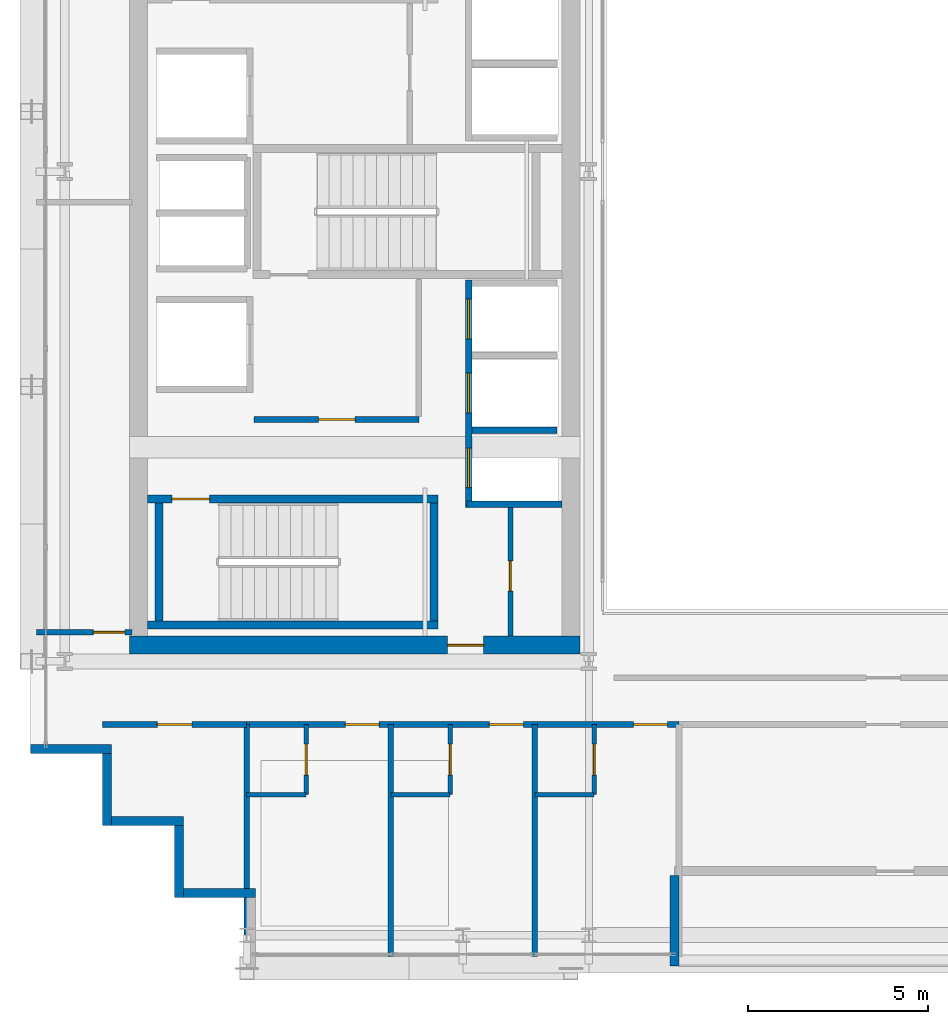
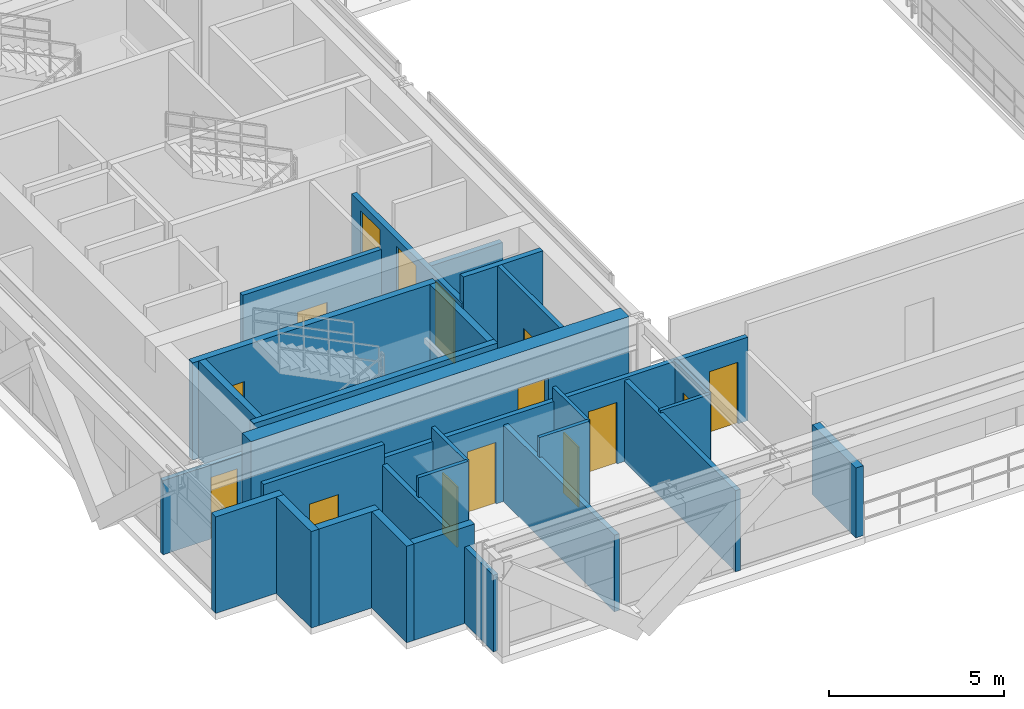
# One storey, part 29 of 38: 28 walls, 15 doors, 15 openings.
"""IFC4 building model written with IfcOpenShell, lengths in metres."""

from ifc_helpers import new_model, si_unit, direction, frame, frame_2d, origin, place, context, subcontext, project, spatial, rectangle, extrude, source, transform, mapped, material, layer, layer_set, type_object, element, fill, save


model = new_model("IFC4")

# Units and contexts
model_context = context("Model", 3, precision=1e-05, world=origin(), true_north=direction((0.0, 1.0)))
body_context = subcontext(model_context, "Body", "Model", "MODEL_VIEW")
ifc_project = project(units=[si_unit("LENGTHUNIT", "METRE"), si_unit("AREAUNIT", "SQUARE_METRE"), si_unit("VOLUMEUNIT", "CUBIC_METRE"), si_unit("PLANEANGLEUNIT", "RADIAN"), si_unit("MASSUNIT", "GRAM", prefix="KILO")], contexts=[model_context])

# Site, building, storey
site_placement = place(None, origin())
site = spatial("IfcSite", under=ifc_project, at=site_placement, CompositionType="ELEMENT")
building_placement = place(site_placement, origin())
building = spatial("IfcBuilding", under=site, at=building_placement, Name="Ocotamira Hotel", CompositionType="ELEMENT")
storey_placement = place(building_placement, frame((0.0, 0.0, 170.39990234375)))
storey = spatial("IfcBuildingStorey", under=building, at=storey_placement, Name="L42", CompositionType="ELEMENT", Elevation=170.39990234375)

# Wall, opening, door
ifc_material_1 = material(Name="Concrete C50/60", Category="concrete")
ifc_layer_1 = layer(ifc_material_1, 0.5)
ifc_layer_set_1 = layer_set([ifc_layer_1], Name="Concrete C50/60")
wall_type_1 = type_object("IfcWallType", Name="WL-CORE-500", PredefinedType="SHEAR", material=ifc_layer_set_1)
wall_1_placement = place(storey_placement, frame((10.75, 15.0, 0.0), z_axis=(0.0, 0.0, 1.0), x_axis=(1.0, 0.0, 0.0)))
wall_1 = element("IfcWall", 1, at=wall_1_placement, inside=storey, type_object=wall_type_1, Name="L42 Shear Core Wall WCORE-S", PredefinedType="SHEAR", context=body_context, shape_type="SweptSolid", body=[
    extrude(rectangle(XDim=12.5, YDim=0.5, at=frame_2d((6.25, 0.0))), origin(), (0.0, 0.0, 1.0), 3.3701171875),
])
opening_1_placement = place(wall_1_placement, frame((8.830078125, 0.0, 0.0)))
opening_1 = element("IfcOpeningElement", 2, at=opening_1_placement, cuts=wall_1, Name="Opening D-FR2", PredefinedType="OPENING", context=body_context, shape_type="SweptSolid", body=[
    extrude(rectangle(XDim=1.0, YDim=2.14990234375, at=frame_2d((0.5, 1.074951171875))), frame((0.0, 0.260009765625, 0.0), z_axis=(0.0, -1.0, 0.0), x_axis=(1.0, 0.0, 0.0)), (0.0, 0.0, 1.0), 0.52001953125),
])
ifc_material_2 = material(Name="Fire-rated acoustic timber-veneer door", Category="wood")
door_type_1 = type_object("IfcDoorType", Name="DR-FIRE-1000", OperationType="NOTDEFINED", PredefinedType="DOOR", material=ifc_material_2)
shared_shape_1 = source(origin(), body_context, "Body", "SweptSolid", [
    extrude(rectangle(XDim=1.0, YDim=2.14990234375, at=frame_2d((0.5, 1.074951171875))), frame((0.0, 0.02490234375, 0.0), z_axis=(0.0, -1.0, 0.0), x_axis=(1.0, 0.0, 0.0)), (0.0, 0.0, 1.0), 0.050048828125),
])
door_1_placement = place(opening_1_placement, origin())
door_1 = element("IfcDoor", 3, at=door_1_placement, inside=storey, type_object=door_type_1, Name="L42 Door ID-L42-WLOB-S-D [ID-L42-WLOB-S-D]", OperationType="SINGLE_SWING_LEFT", OverallHeight=2.14990234375, OverallWidth=1.0, PredefinedType="DOOR", context=body_context, shape_type="MappedRepresentation", body=[
    mapped(shared_shape_1, transform((0.0, 0.0, 0.0), scale=1.0)),
])
fill(opening_1, door_1)

# Walls
ifc_material_3 = material(Name="Precast concrete C45/55", Category="concrete")
ifc_layer_2 = layer(ifc_material_3, 0.25)
ifc_layer_set_2 = layer_set([ifc_layer_2], Name="Precast concrete C45/55")
wall_type_2 = type_object("IfcWallType", Name="WL-EXT-SER-250", PredefinedType="SOLIDWALL", material=ifc_layer_set_2)
wall_2_placement = place(storey_placement, frame((8.0, 12.125, 0.0), z_axis=(0.0, 0.0, 1.0), x_axis=(1.0, 0.0, 0.0)))
element("IfcWall", 4, at=wall_2_placement, inside=storey, type_object=wall_type_2, Name="L42 Serrated Corner Wall 19", PredefinedType="SOLIDWALL", context=body_context, shape_type="SweptSolid", body=[
    extrude(rectangle(XDim=2.25, YDim=0.25, at=frame_2d((1.125, 0.0))), origin(), (0.0, 0.0, 1.0), 3.3701171875),
])
for number, where, z_axis, x_axis, name in (
    (5, (10.125, 12.0, 0.0), (0.0, 0.0, 1.0), (0.0, -1.0, 0.0), "L42 Serrated Corner Wall 20"),
    (6, (10.25, 10.125, 0.0), (0.0, 0.0, 1.0), (1.0, 0.0, 0.0), "L42 Serrated Corner Wall 21"),
    (7, (12.125, 10.0, 0.0), (0.0, 0.0, 1.0), (0.0, -1.0, 0.0), "L42 Serrated Corner Wall 22"),
    (8, (12.25, 8.125, 0.0), (0.0, 0.0, 1.0), (1.0, 0.0, 0.0), "L42 Serrated Corner Wall 23"),
):
    element("IfcWall", number, at=place(storey_placement, frame(where, z_axis=z_axis, x_axis=x_axis)), inside=storey, type_object=wall_type_2, Name=name, PredefinedType="SOLIDWALL", context=body_context, shape_type="SweptSolid", body=[
        extrude(rectangle(XDim=2.0, YDim=0.25, at=frame_2d((1.0, 0.0))), origin(), (0.0, 0.0, 1.0), 3.3701171875),
    ])
wall_3_placement = place(storey_placement, frame((25.875, 6.10009765625, 0.0), z_axis=(0.0, 0.0, 1.0), x_axis=(0.0, 1.0, 0.0)))
element("IfcWall", 9, at=wall_3_placement, inside=storey, type_object=wall_type_2, Name="L42 Sky Terrace Return Wall 1L", PredefinedType="SOLIDWALL", context=body_context, shape_type="SweptSolid", body=[
    extrude(rectangle(XDim=2.5, YDim=0.25, at=frame_2d((1.25, 0.0))), origin(), (0.0, 0.0, 1.0), 2.443115234375),
])

# Wall, opening, door
ifc_material_4 = material(Name="Acoustic double-layer fire gypsum board partition", Category="gypsum")
ifc_layer_3 = layer(ifc_material_4, 0.159912109375)
ifc_layer_set_3 = layer_set([ifc_layer_3], Name="Acoustic double-layer fire gypsum board partition")
wall_type_3 = type_object("IfcWallType", Name="WL-FIRE-160", PredefinedType="PARTITIONING", material=ifc_layer_set_3)
wall_4_placement = place(storey_placement, frame((14.199951171875, 21.27001953125, 0.0), z_axis=(0.0, 0.0, 1.0), x_axis=(1.0, 0.0, 0.0)))
wall_4 = element("IfcWall", 10, at=wall_4_placement, inside=storey, type_object=wall_type_3, Name="L42 Interior Wall PW-L42-FSAE1-S", PredefinedType="PARTITIONING", context=body_context, shape_type="SweptSolid", body=[
    extrude(rectangle(XDim=4.580078125, YDim=0.159912109375, at=frame_2d((2.2900390625, 0.0))), origin(), (0.0, 0.0, 1.0), 3.3701171875),
])
opening_2_placement = place(wall_4_placement, frame((1.800048828125, 0.0, 0.0)))
opening_2 = element("IfcOpeningElement", 11, at=opening_2_placement, cuts=wall_4, Name="Opening D-FR2", PredefinedType="OPENING", context=body_context, shape_type="SweptSolid", body=[
    extrude(rectangle(XDim=1.0, YDim=2.14990234375, at=frame_2d((0.5, 1.074951171875))), frame((0.0, 0.08984375, 0.0), z_axis=(0.0, -1.0, 0.0), x_axis=(1.0, 0.0, 0.0)), (0.0, 0.0, 1.0), 0.179931640625),
])
door_2_placement = place(opening_2_placement, origin())
door_2 = element("IfcDoor", 12, at=door_2_placement, inside=storey, type_object=door_type_1, Name="L42 Door ID-L42-FSAE1-D [ID-L42-FSAE1-D]", OperationType="SINGLE_SWING_LEFT", OverallHeight=2.14990234375, OverallWidth=1.0, PredefinedType="DOOR", context=body_context, shape_type="MappedRepresentation", body=[
    mapped(shared_shape_1, transform((0.0, 0.0, 0.0), scale=1.0)),
])
fill(opening_2, door_2)

wall_5_placement = place(storey_placement, frame((10.0, 12.800048828125, 0.0), z_axis=(0.0, 0.0, 1.0), x_axis=(1.0, 0.0, 0.0)))
wall_5 = element("IfcWall", 13, at=wall_5_placement, inside=storey, type_object=wall_type_3, Name="L42 Interior Wall PW-L42-Z3A-CSW-CW", PredefinedType="PARTITIONING", context=body_context, shape_type="SweptSolid", body=[
    extrude(rectangle(XDim=4.0, YDim=0.159912109375, at=frame_2d((2.0, 0.0))), origin(), (0.0, 0.0, 1.0), 3.3701171875),
])
opening_3_placement = place(wall_5_placement, frame((1.52001953125, 0.0, 0.0)))
opening_3 = element("IfcOpeningElement", 14, at=opening_3_placement, cuts=wall_5, Name="Opening D-SV4", PredefinedType="OPENING", context=body_context, shape_type="SweptSolid", body=[
    extrude(rectangle(XDim=0.9599609375, YDim=2.14990234375, at=frame_2d((0.47998046875, 1.074951171875))), frame((0.0, 0.08984375, 0.0), z_axis=(0.0, -1.0, 0.0), x_axis=(1.0, 0.0, 0.0)), (0.0, 0.0, 1.0), 0.179931640625),
])
ifc_material_5 = material(Name="Fire-rated accessible walnut salon door", Category="wood")
door_type_2 = type_object("IfcDoorType", Name="DR-SERV-960", OperationType="NOTDEFINED", PredefinedType="DOOR", material=ifc_material_5)
shared_shape_2 = source(origin(), body_context, "Body", "SweptSolid", [
    extrude(rectangle(XDim=0.9599609375, YDim=2.14990234375, at=frame_2d((0.47998046875, 1.074951171875))), frame((0.0, 0.02490234375, 0.0), z_axis=(0.0, -1.0, 0.0), x_axis=(1.0, 0.0, 0.0)), (0.0, 0.0, 1.0), 0.050048828125),
])
door_3_placement = place(opening_3_placement, origin())
door_3 = element("IfcDoor", 15, at=door_3_placement, inside=storey, type_object=door_type_2, Name="L42 Door ID-L42-Z3A-CSW-CD [ID-L42-Z3A-CSW-CD]", OperationType="SINGLE_SWING_LEFT", OverallHeight=2.14990234375, OverallWidth=0.9599609375, PredefinedType="DOOR", context=body_context, shape_type="MappedRepresentation", body=[
    mapped(shared_shape_2, transform((0.0, 0.0, 0.0), scale=1.0)),
])
fill(opening_3, door_3)

# Wall, openings, doors
wall_6_placement = place(storey_placement, frame((14.0, 12.800048828125, 0.0), z_axis=(0.0, 0.0, 1.0), x_axis=(1.0, 0.0, 0.0)))
wall_6 = element("IfcWall", 16, at=wall_6_placement, inside=storey, type_object=wall_type_3, Name="L42 Interior Wall PW-L42-Z3ASW-CORRW", PredefinedType="PARTITIONING", context=body_context, shape_type="SweptSolid", body=[
    extrude(rectangle(XDim=12.0, YDim=0.159912109375, at=frame_2d((6.0, 0.0))), origin(), (0.0, 0.0, 1.0), 2.9130859375),
])
opening_4_placement = place(wall_6_placement, frame((2.739990234375, 0.0, 0.0)))
opening_4 = element("IfcOpeningElement", 17, at=opening_4_placement, cuts=wall_6, Name="Opening D-GR1", PredefinedType="OPENING", context=body_context, shape_type="SweptSolid", body=[
    extrude(rectangle(XDim=0.93994140625, YDim=2.14990234375, at=frame_2d((0.469970703125, 1.074951171875))), frame((0.0, 0.08984375, 0.0), z_axis=(0.0, -1.0, 0.0), x_axis=(1.0, 0.0, 0.0)), (0.0, 0.0, 1.0), 0.179931640625),
])
opening_5_placement = place(wall_6_placement, frame((6.739990234375, 0.0, 0.0)))
opening_5 = element("IfcOpeningElement", 18, at=opening_5_placement, cuts=wall_6, Name="Opening D-GR1", PredefinedType="OPENING", context=body_context, shape_type="SweptSolid", body=[
    extrude(rectangle(XDim=0.93994140625, YDim=2.14990234375, at=frame_2d((0.469970703125, 1.074951171875))), frame((0.0, 0.08984375, 0.0), z_axis=(0.0, -1.0, 0.0), x_axis=(1.0, 0.0, 0.0)), (0.0, 0.0, 1.0), 0.179931640625),
])
opening_6_placement = place(wall_6_placement, frame((10.739990234375, 0.0, 0.0)))
opening_6 = element("IfcOpeningElement", 19, at=opening_6_placement, cuts=wall_6, Name="Opening D-GR1", PredefinedType="OPENING", context=body_context, shape_type="SweptSolid", body=[
    extrude(rectangle(XDim=0.93994140625, YDim=2.14990234375, at=frame_2d((0.469970703125, 1.074951171875))), frame((0.0, 0.08984375, 0.0), z_axis=(0.0, -1.0, 0.0), x_axis=(1.0, 0.0, 0.0)), (0.0, 0.0, 1.0), 0.179931640625),
])
ifc_material_6 = material(Name="Solid-core walnut suite entrance fire door", Category="wood")
door_type_3 = type_object("IfcDoorType", Name="DR-GUEST-940", OperationType="NOTDEFINED", PredefinedType="DOOR", material=ifc_material_6)
shared_shape_3 = source(origin(), body_context, "Body", "SweptSolid", [
    extrude(rectangle(XDim=0.93994140625, YDim=2.14990234375, at=frame_2d((0.469970703125, 1.074951171875))), frame((0.0, 0.02490234375, 0.0), z_axis=(0.0, -1.0, 0.0), x_axis=(1.0, 0.0, 0.0)), (0.0, 0.0, 1.0), 0.050048828125),
])
door_4_placement = place(opening_4_placement, origin())
door_4 = element("IfcDoor", 20, at=door_4_placement, inside=storey, type_object=door_type_3, Name="L42 Door ID-L42-Z3ASW-RMD1 [ID-L42-Z3ASW-RMD1]", OperationType="SINGLE_SWING_LEFT", OverallHeight=2.14990234375, OverallWidth=0.93994140625, PredefinedType="DOOR", context=body_context, shape_type="MappedRepresentation", body=[
    mapped(shared_shape_3, transform((0.0, 0.0, 0.0), scale=1.0)),
])
fill(opening_4, door_4)
door_5_placement = place(opening_5_placement, origin())
door_5 = element("IfcDoor", 21, at=door_5_placement, inside=storey, type_object=door_type_3, Name="L42 Door ID-L42-Z3ASW-RMD2 [ID-L42-Z3ASW-RMD2]", OperationType="SINGLE_SWING_RIGHT", OverallHeight=2.14990234375, OverallWidth=0.93994140625, PredefinedType="DOOR", context=body_context, shape_type="MappedRepresentation", body=[
    mapped(shared_shape_3, transform((0.0, 0.0, 0.0), scale=1.0)),
])
fill(opening_5, door_5)
door_6_placement = place(opening_6_placement, origin())
door_6 = element("IfcDoor", 22, at=door_6_placement, inside=storey, type_object=door_type_3, Name="L42 Door ID-L42-Z3ASW-RMD3 [ID-L42-Z3ASW-RMD3]", OperationType="SINGLE_SWING_LEFT", OverallHeight=2.14990234375, OverallWidth=0.93994140625, PredefinedType="DOOR", context=body_context, shape_type="MappedRepresentation", body=[
    mapped(shared_shape_3, transform((0.0, 0.0, 0.0), scale=1.0)),
])
fill(opening_6, door_6)

# Wall, opening, door
ifc_material_7 = material(Name="Moisture-resistant en-suite tile and gypsum partition", Category="gypsum")
ifc_layer_4 = layer(ifc_material_7, 0.1201171875)
ifc_layer_set_4 = layer_set([ifc_layer_4], Name="Moisture-resistant en-suite tile and gypsum partition")
wall_type_4 = type_object("IfcWallType", Name="WL-PART-120", PredefinedType="PARTITIONING", material=ifc_layer_set_4)
wall_7_placement = place(storey_placement, frame((15.64990234375, 10.85009765625, 0.0), z_axis=(0.0, 0.0, 1.0), x_axis=(0.0, 1.0, 0.0)))
wall_7 = element("IfcWall", 23, at=wall_7_placement, inside=storey, type_object=wall_type_4, Name="L42 Interior Wall PW-L42-Z3ASW-BAE1", PredefinedType="PARTITIONING", context=body_context, shape_type="SweptSolid", body=[
    extrude(rectangle(XDim=1.949951171875, YDim=0.1201171875, at=frame_2d((0.97509765625, 0.0))), origin(), (0.0, 0.0, 1.0), 3.3701171875),
])
opening_7_placement = place(wall_7_placement, frame((0.544921875, 0.0, 0.0)))
opening_7 = element("IfcOpeningElement", 24, at=opening_7_placement, cuts=wall_7, Name="Opening D-BA1", PredefinedType="OPENING", context=body_context, shape_type="SweptSolid", body=[
    extrude(rectangle(XDim=0.860107421875, YDim=2.10009765625, at=frame_2d((0.43017578125, 1.050048828125))), frame((0.0, 0.070068359375, 0.0), z_axis=(0.0, -1.0, 0.0), x_axis=(1.0, 0.0, 0.0)), (0.0, 0.0, 1.0), 0.14013671875),
])
ifc_material_8 = material(Name="Moisture-sealed en-suite timber door", Category="wood")
door_type_4 = type_object("IfcDoorType", Name="DR-BATH-860", OperationType="NOTDEFINED", PredefinedType="DOOR", material=ifc_material_8)
shared_shape_4 = source(origin(), body_context, "Body", "SweptSolid", [
    extrude(rectangle(XDim=0.860107421875, YDim=2.10009765625, at=frame_2d((0.43017578125, 1.050048828125))), frame((0.0, 0.02490234375, 0.0), z_axis=(0.0, -1.0, 0.0), x_axis=(1.0, 0.0, 0.0)), (0.0, 0.0, 1.0), 0.050048828125),
])
door_7_placement = place(opening_7_placement, origin())
door_7 = element("IfcDoor", 25, at=door_7_placement, inside=storey, type_object=door_type_4, Name="L42 Door ID-L42-Z3ASW-BAD1 [ID-L42-Z3ASW-BAD1]", OperationType="SINGLE_SWING_RIGHT", OverallHeight=2.10009765625, OverallWidth=0.860107421875, PredefinedType="DOOR", context=body_context, shape_type="MappedRepresentation", body=[
    mapped(shared_shape_4, transform((0.0, 0.0, 0.0), scale=1.0)),
])
fill(opening_7, door_7)

# Wall
wall_8_placement = place(storey_placement, frame((14.0, 10.85009765625, 0.0), z_axis=(0.0, 0.0, 1.0), x_axis=(1.0, 0.0, 0.0)))
element("IfcWall", 26, at=wall_8_placement, inside=storey, type_object=wall_type_4, Name="L42 Interior Wall PW-L42-Z3ASW-BAS1", PredefinedType="PARTITIONING", context=body_context, shape_type="SweptSolid", body=[
    extrude(rectangle(XDim=1.64990234375, YDim=0.1201171875, at=frame_2d((0.824951171875, 0.0))), origin(), (0.0, 0.0, 1.0), 3.3701171875),
])

# Wall, opening, door
wall_9_placement = place(storey_placement, frame((19.64990234375, 10.85009765625, 0.0), z_axis=(0.0, 0.0, 1.0), x_axis=(0.0, 1.0, 0.0)))
wall_9 = element("IfcWall", 27, at=wall_9_placement, inside=storey, type_object=wall_type_4, Name="L42 Interior Wall PW-L42-Z3ASW-BAE2", PredefinedType="PARTITIONING", context=body_context, shape_type="SweptSolid", body=[
    extrude(rectangle(XDim=1.949951171875, YDim=0.1201171875, at=frame_2d((0.97509765625, 0.0))), origin(), (0.0, 0.0, 1.0), 3.3701171875),
])
opening_8_placement = place(wall_9_placement, frame((0.544921875, 0.0, 0.0)))
opening_8 = element("IfcOpeningElement", 28, at=opening_8_placement, cuts=wall_9, Name="Opening D-BA1", PredefinedType="OPENING", context=body_context, shape_type="SweptSolid", body=[
    extrude(rectangle(XDim=0.860107421875, YDim=2.10009765625, at=frame_2d((0.43017578125, 1.050048828125))), frame((0.0, 0.070068359375, 0.0), z_axis=(0.0, -1.0, 0.0), x_axis=(1.0, 0.0, 0.0)), (0.0, 0.0, 1.0), 0.14013671875),
])
door_8_placement = place(opening_8_placement, origin())
door_8 = element("IfcDoor", 29, at=door_8_placement, inside=storey, type_object=door_type_4, Name="L42 Door ID-L42-Z3ASW-BAD2 [ID-L42-Z3ASW-BAD2]", OperationType="SINGLE_SWING_LEFT", OverallHeight=2.10009765625, OverallWidth=0.860107421875, PredefinedType="DOOR", context=body_context, shape_type="MappedRepresentation", body=[
    mapped(shared_shape_4, transform((0.0, 0.0, 0.0), scale=1.0)),
])
fill(opening_8, door_8)

# Wall
wall_10_placement = place(storey_placement, frame((18.0, 10.85009765625, 0.0), z_axis=(0.0, 0.0, 1.0), x_axis=(1.0, 0.0, 0.0)))
element("IfcWall", 30, at=wall_10_placement, inside=storey, type_object=wall_type_4, Name="L42 Interior Wall PW-L42-Z3ASW-BAS2", PredefinedType="PARTITIONING", context=body_context, shape_type="SweptSolid", body=[
    extrude(rectangle(XDim=1.64990234375, YDim=0.1201171875, at=frame_2d((0.824951171875, 0.0))), origin(), (0.0, 0.0, 1.0), 3.3701171875),
])

# Wall, opening, door
wall_11_placement = place(storey_placement, frame((23.64990234375, 10.85009765625, 0.0), z_axis=(0.0, 0.0, 1.0), x_axis=(0.0, 1.0, 0.0)))
wall_11 = element("IfcWall", 31, at=wall_11_placement, inside=storey, type_object=wall_type_4, Name="L42 Interior Wall PW-L42-Z3ASW-BAE3", PredefinedType="PARTITIONING", context=body_context, shape_type="SweptSolid", body=[
    extrude(rectangle(XDim=1.949951171875, YDim=0.1201171875, at=frame_2d((0.97509765625, 0.0))), origin(), (0.0, 0.0, 1.0), 2.9130859375),
])
opening_9_placement = place(wall_11_placement, frame((0.544921875, 0.0, 0.0)))
opening_9 = element("IfcOpeningElement", 32, at=opening_9_placement, cuts=wall_11, Name="Opening D-BA1", PredefinedType="OPENING", context=body_context, shape_type="SweptSolid", body=[
    extrude(rectangle(XDim=0.860107421875, YDim=2.10009765625, at=frame_2d((0.43017578125, 1.050048828125))), frame((0.0, 0.070068359375, 0.0), z_axis=(0.0, -1.0, 0.0), x_axis=(1.0, 0.0, 0.0)), (0.0, 0.0, 1.0), 0.14013671875),
])
door_9_placement = place(opening_9_placement, origin())
door_9 = element("IfcDoor", 33, at=door_9_placement, inside=storey, type_object=door_type_4, Name="L42 Door ID-L42-Z3ASW-BAD3 [ID-L42-Z3ASW-BAD3]", OperationType="SINGLE_SWING_RIGHT", OverallHeight=2.10009765625, OverallWidth=0.860107421875, PredefinedType="DOOR", context=body_context, shape_type="MappedRepresentation", body=[
    mapped(shared_shape_4, transform((0.0, 0.0, 0.0), scale=1.0)),
])
fill(opening_9, door_9)

# Wall
wall_12_placement = place(storey_placement, frame((22.0, 10.85009765625, 0.0), z_axis=(0.0, 0.0, 1.0), x_axis=(1.0, 0.0, 0.0)))
element("IfcWall", 34, at=wall_12_placement, inside=storey, type_object=wall_type_4, Name="L42 Interior Wall PW-L42-Z3ASW-BAS3", PredefinedType="PARTITIONING", context=body_context, shape_type="SweptSolid", body=[
    extrude(rectangle(XDim=1.64990234375, YDim=0.1201171875, at=frame_2d((0.824951171875, 0.0))), origin(), (0.0, 0.0, 1.0), 2.9130859375),
])

# Wall, opening, door
ifc_material_9 = material(Name="Acoustic hospitality gypsum board partition", Category="gypsum")
ifc_layer_5 = layer(ifc_material_9, 0.14208984375)
ifc_layer_set_5 = layer_set([ifc_layer_5], Name="Acoustic hospitality gypsum board partition")
wall_type_5 = type_object("IfcWallType", Name="WL-PART-142", PredefinedType="PARTITIONING", material=ifc_layer_set_5)
wall_13_placement = place(storey_placement, frame((21.320068359375, 15.25, 0.0), z_axis=(0.0, 0.0, 1.0), x_axis=(0.0, 1.0, 0.0)))
wall_13 = element("IfcWall", 35, at=wall_13_placement, inside=storey, type_object=wall_type_5, Name="L42 Interior Wall PW-L42-WC-SE-W", PredefinedType="PARTITIONING", context=body_context, shape_type="SweptSolid", body=[
    extrude(rectangle(XDim=3.590087890625, YDim=0.14208984375, at=frame_2d((1.794921875, 0.0))), origin(), (0.0, 0.0, 1.0), 3.3701171875),
])
opening_10_placement = place(wall_13_placement, frame((1.25, 0.0, 0.0)))
opening_10 = element("IfcOpeningElement", 36, at=opening_10_placement, cuts=wall_13, Name="Opening D-SV1", PredefinedType="OPENING", context=body_context, shape_type="SweptSolid", body=[
    extrude(rectangle(XDim=0.840087890625, YDim=2.10009765625, at=frame_2d((0.419921875, 1.050048828125))), frame((0.0, 0.0810546875, 0.0), z_axis=(0.0, -1.0, 0.0), x_axis=(1.0, 0.0, 0.0)), (0.0, 0.0, 1.0), 0.162109375),
])
ifc_material_10 = material(Name="Fire-rated painted steel service door", Category="steel")
door_type_5 = type_object("IfcDoorType", Name="DR-SERV-840", OperationType="NOTDEFINED", PredefinedType="DOOR", material=ifc_material_10)
shared_shape_5 = source(origin(), body_context, "Body", "SweptSolid", [
    extrude(rectangle(XDim=0.840087890625, YDim=2.10009765625, at=frame_2d((0.419921875, 1.050048828125))), frame((0.0, 0.02490234375, 0.0), z_axis=(0.0, -1.0, 0.0), x_axis=(1.0, 0.0, 0.0)), (0.0, 0.0, 1.0), 0.050048828125),
])
door_10_placement = place(opening_10_placement, origin())
door_10 = element("IfcDoor", 37, at=door_10_placement, inside=storey, type_object=door_type_5, Name="L42 Door ID-L42-WC-SE-D [ID-L42-WC-SE-D]", OperationType="SINGLE_SWING_RIGHT", OverallHeight=2.10009765625, OverallWidth=0.840087890625, PredefinedType="DOOR", context=body_context, shape_type="MappedRepresentation", body=[
    mapped(shared_shape_5, transform((0.0, 0.0, 0.0), scale=1.0)),
])
fill(opening_10, door_10)

ifc_layer_6 = layer(ifc_material_9, 0.14990234375)
ifc_layer_set_6 = layer_set([ifc_layer_6], Name="Acoustic hospitality gypsum board partition")
wall_type_6 = type_object("IfcWallType", Name="WL-PART-150", PredefinedType="PARTITIONING", material=ifc_layer_set_6)
wall_14_placement = place(storey_placement, frame((8.159912109375, 15.360107421875, 0.0), z_axis=(0.0, 0.0, 1.0), x_axis=(1.0, 0.0, 0.0)))
wall_14 = element("IfcWall", 38, at=wall_14_placement, inside=storey, type_object=wall_type_6, Name="L42 Interior Wall PW-L42-Z3A-WF-WS", PredefinedType="PARTITIONING", context=body_context, shape_type="SweptSolid", body=[
    extrude(rectangle(XDim=2.66015625, YDim=0.14990234375, at=frame_2d((1.330078125, 0.0))), origin(), (0.0, 0.0, 1.0), 2.591064453125),
])
opening_11_placement = place(wall_14_placement, frame((1.580078125, 0.0, 0.0)))
opening_11 = element("IfcOpeningElement", 39, at=opening_11_placement, cuts=wall_14, Name="Opening D-SV2", PredefinedType="OPENING", context=body_context, shape_type="SweptSolid", body=[
    extrude(rectangle(XDim=0.8798828125, YDim=2.14990234375, at=frame_2d((0.43994140625, 1.074951171875))), frame((0.0, 0.0849609375, 0.0), z_axis=(0.0, -1.0, 0.0), x_axis=(1.0, 0.0, 0.0)), (0.0, 0.0, 1.0), 0.169921875),
])
door_type_6 = type_object("IfcDoorType", Name="DR-SERV-880", OperationType="NOTDEFINED", PredefinedType="DOOR", material=ifc_material_10)
shared_shape_6 = source(origin(), body_context, "Body", "SweptSolid", [
    extrude(rectangle(XDim=0.8798828125, YDim=2.14990234375, at=frame_2d((0.43994140625, 1.074951171875))), frame((0.0, 0.02490234375, 0.0), z_axis=(0.0, -1.0, 0.0), x_axis=(1.0, 0.0, 0.0)), (0.0, 0.0, 1.0), 0.050048828125),
])
door_11_placement = place(opening_11_placement, origin())
door_11 = element("IfcDoor", 40, at=door_11_placement, inside=storey, type_object=door_type_6, Name="L42 Door ID-L42-Z3A-WF-DS [ID-L42-Z3A-WF-DS]", OperationType="SINGLE_SWING_LEFT", OverallHeight=2.14990234375, OverallWidth=0.8798828125, PredefinedType="DOOR", context=body_context, shape_type="MappedRepresentation", body=[
    mapped(shared_shape_6, transform((0.0, 0.0, 0.0), scale=1.0)),
])
fill(opening_11, door_11)

# Walls
ifc_material_11 = material(Name="Acoustic double-stud hospitality gypsum partition", Category="gypsum")
ifc_layer_7 = layer(ifc_material_11, 0.159912109375)
ifc_layer_set_7 = layer_set([ifc_layer_7], Name="Acoustic double-stud hospitality gypsum partition")
wall_type_7 = type_object("IfcWallType", Name="WL-PART-160", PredefinedType="PARTITIONING", material=ifc_layer_set_7)
for number, where, z_axis, x_axis, name in (
    (41, (14.0, 6.360107421875, 0.0), (0.0, 0.0, 1.0), (0.0, 1.0, 0.0), "L42 Interior Wall PW-L42-Z3ASW-PW0"),
    (42, (18.0, 6.360107421875, 0.0), (0.0, 0.0, 1.0), (0.0, 1.0, 0.0), "L42 Interior Wall PW-L42-Z3ASW-PW1"),
):
    element("IfcWall", number, at=place(storey_placement, frame(where, z_axis=z_axis, x_axis=x_axis)), inside=storey, type_object=wall_type_7, Name=name, PredefinedType="PARTITIONING", context=body_context, shape_type="SweptSolid", body=[
        extrude(rectangle(XDim=6.43994140625, YDim=0.159912109375, at=frame_2d((3.219970703125, 0.0))), origin(), (0.0, 0.0, 1.0), 2.677001953125),
    ])
wall_15_placement = place(storey_placement, frame((22.0, 6.360107421875, 0.0), z_axis=(0.0, 0.0, 1.0), x_axis=(0.0, 1.0, 0.0)))
element("IfcWall", 43, at=wall_15_placement, inside=storey, type_object=wall_type_7, Name="L42 Interior Wall PW-L42-Z3ASW-PW2", PredefinedType="PARTITIONING", context=body_context, shape_type="SweptSolid", body=[
    extrude(rectangle(XDim=6.43994140625, YDim=0.159912109375, at=frame_2d((3.219970703125, 0.0))), origin(), (0.0, 0.0, 1.0), 2.8330078125),
])

# Wall, openings, doors
ifc_material_12 = material(Name="Fire-rated gypsum shaftliner board assembly", Category="gypsum")
ifc_layer_8 = layer(ifc_material_12, 0.179931640625)
ifc_layer_set_8 = layer_set([ifc_layer_8], Name="Fire-rated gypsum shaftliner board assembly")
wall_type_8 = type_object("IfcWallType", Name="WL-SHAFT-180", PredefinedType="SOLIDWALL", material=ifc_layer_set_8)
wall_16_placement = place(storey_placement, frame((20.159912109375, 18.820068359375, 0.0), z_axis=(0.0, 0.0, 1.0), x_axis=(0.0, 1.0, 0.0)))
wall_16 = element("IfcWall", 44, at=wall_16_placement, inside=storey, type_object=wall_type_8, Name="L42 Interior Wall PW-L42-LFW-BANK-high-F", PredefinedType="SOLIDWALL", context=body_context, shape_type="SweptSolid", body=[
    extrude(rectangle(XDim=6.31982421875, YDim=0.179931640625, at=frame_2d((3.159912109375, 0.0))), origin(), (0.0, 0.0, 1.0), 2.47021484375),
])
opening_12_placement = place(wall_16_placement, frame((0.554931640625, 0.0, 0.0)))
opening_12 = element("IfcOpeningElement", 45, at=opening_12_placement, cuts=wall_16, Name="Opening LD-LF-P7", PredefinedType="OPENING", context=body_context, shape_type="SweptSolid", body=[
    extrude(rectangle(XDim=1.10009765625, YDim=2.199951171875, at=frame_2d((0.550048828125, 1.10009765625))), frame((0.0, 0.10009765625, 0.0), z_axis=(0.0, -1.0, 0.0), x_axis=(1.0, 0.0, 0.0)), (0.0, 0.0, 1.0), 0.199951171875),
])
opening_13_placement = place(wall_16_placement, frame((2.635009765625, 0.0, 0.0)))
opening_13 = element("IfcOpeningElement", 46, at=opening_13_placement, cuts=wall_16, Name="Opening LD-LF-P8", PredefinedType="OPENING", context=body_context, shape_type="SweptSolid", body=[
    extrude(rectangle(XDim=1.10009765625, YDim=2.199951171875, at=frame_2d((0.550048828125, 1.10009765625))), frame((0.0, 0.10009765625, 0.0), z_axis=(0.0, -1.0, 0.0), x_axis=(1.0, 0.0, 0.0)), (0.0, 0.0, 1.0), 0.199951171875),
])
opening_14_placement = place(wall_16_placement, frame((4.68994140625, 0.0, 0.0)))
opening_14 = element("IfcOpeningElement", 47, at=opening_14_placement, cuts=wall_16, Name="Opening LD-LF-P9", PredefinedType="OPENING", context=body_context, shape_type="SweptSolid", body=[
    extrude(rectangle(XDim=1.10009765625, YDim=2.199951171875, at=frame_2d((0.550048828125, 1.10009765625))), frame((0.0, 0.10009765625, 0.0), z_axis=(0.0, -1.0, 0.0), x_axis=(1.0, 0.0, 0.0)), (0.0, 0.0, 1.0), 0.199951171875),
])
ifc_material_13 = material(Name="Brushed pale-metal stainless elevator landing door", Category="steel")
door_type_7 = type_object("IfcDoorType", Name="DR-LIFT-1100", OperationType="NOTDEFINED", PredefinedType="DOOR", material=ifc_material_13)
shared_shape_7 = source(origin(), body_context, "Body", "SweptSolid", [
    extrude(rectangle(XDim=1.10009765625, YDim=2.199951171875, at=frame_2d((0.550048828125, 1.10009765625))), frame((0.0, 0.02490234375, 0.0), z_axis=(0.0, -1.0, 0.0), x_axis=(1.0, 0.0, 0.0)), (0.0, 0.0, 1.0), 0.050048828125),
])
door_12_placement = place(opening_12_placement, origin())
door_12 = element("IfcDoor", 48, at=door_12_placement, inside=storey, type_object=door_type_7, Name="L42 Landing Door LD-LF-P7 [ID-L42-LD-LF-P7]", OperationType="DOUBLE_DOOR_SLIDING", OverallHeight=2.199951171875, OverallWidth=1.10009765625, PredefinedType="DOOR", context=body_context, shape_type="MappedRepresentation", body=[
    mapped(shared_shape_7, transform((0.0, 0.0, 0.0), scale=1.0)),
])
fill(opening_12, door_12)
door_13_placement = place(opening_13_placement, origin())
door_13 = element("IfcDoor", 49, at=door_13_placement, inside=storey, type_object=door_type_7, Name="L42 Landing Door LD-LF-P8 [ID-L42-LD-LF-P8]", OperationType="DOUBLE_DOOR_SLIDING", OverallHeight=2.199951171875, OverallWidth=1.10009765625, PredefinedType="DOOR", context=body_context, shape_type="MappedRepresentation", body=[
    mapped(shared_shape_7, transform((0.0, 0.0, 0.0), scale=1.0)),
])
fill(opening_13, door_13)
door_14_placement = place(opening_14_placement, origin())
door_14 = element("IfcDoor", 50, at=door_14_placement, inside=storey, type_object=door_type_7, Name="L42 Landing Door LD-LF-P9 [ID-L42-LD-LF-P9]", OperationType="DOUBLE_DOOR_SLIDING", OverallHeight=2.199951171875, OverallWidth=1.10009765625, PredefinedType="DOOR", context=body_context, shape_type="MappedRepresentation", body=[
    mapped(shared_shape_7, transform((0.0, 0.0, 0.0), scale=1.0)),
])
fill(opening_14, door_14)

# Walls
wall_17_placement = place(storey_placement, frame((20.1201171875, 18.909912109375, 0.0), z_axis=(0.0, 0.0, 1.0), x_axis=(1.0, 0.0, 0.0)))
element("IfcWall", 51, at=wall_17_placement, inside=storey, type_object=wall_type_8, Name="L42 Interior Wall PW-L42-LFW-BANK-high-S", PredefinedType="SOLIDWALL", context=body_context, shape_type="SweptSolid", body=[
    extrude(rectangle(XDim=2.6298828125, YDim=0.179931640625, at=frame_2d((1.31494140625, 0.0))), origin(), (0.0, 0.0, 1.0), 3.3701171875),
])
wall_18_placement = place(storey_placement, frame((20.25, 20.965087890625, 0.0), z_axis=(0.0, 0.0, 1.0), x_axis=(1.0, 0.0, 0.0)))
element("IfcWall", 52, at=wall_18_placement, inside=storey, type_object=wall_type_8, Name="L42 Interior Wall PW-L42-LFW-DIV-LF-P7", PredefinedType="SOLIDWALL", context=body_context, shape_type="SweptSolid", body=[
    extrude(rectangle(XDim=2.360107421875, YDim=0.179931640625, at=frame_2d((1.18017578125, 0.0))), origin(), (0.0, 0.0, 1.0), 2.47021484375),
])
ifc_layer_9 = layer(ifc_material_1, 0.219970703125)
ifc_layer_set_9 = layer_set([ifc_layer_9], Name="Concrete C50/60")
wall_type_9 = type_object("IfcWallType", Name="WL-STAIR-220", PredefinedType="SHEAR", material=ifc_layer_set_9)
wall_19_placement = place(storey_placement, frame((11.25, 15.56005859375, 0.0), z_axis=(0.0, 0.0, 1.0), x_axis=(1.0, 0.0, 0.0)))
element("IfcWall", 53, at=wall_19_placement, inside=storey, type_object=wall_type_9, Name="L42 Stair Shaft Structural Wall ST-1-S", PredefinedType="SHEAR", context=body_context, shape_type="SweptSolid", body=[
    extrude(rectangle(XDim=8.06005859375, YDim=0.219970703125, at=frame_2d((4.030029296875, 0.0))), origin(), (0.0, 0.0, 1.0), 3.400146484375),
])

# Wall, opening, door
wall_20_placement = place(storey_placement, frame((11.25, 19.06005859375, 0.0), z_axis=(0.0, 0.0, 1.0), x_axis=(1.0, 0.0, 0.0)))
wall_20 = element("IfcWall", 54, at=wall_20_placement, inside=storey, type_object=wall_type_9, Name="L42 Stair Shaft Structural Wall ST-1-N", PredefinedType="SHEAR", context=body_context, shape_type="SweptSolid", body=[
    extrude(rectangle(XDim=8.06005859375, YDim=0.219970703125, at=frame_2d((4.030029296875, 0.0))), origin(), (0.0, 0.0, 1.0), 3.400146484375),
])
opening_15_placement = place(wall_20_placement, frame((0.669921875, 0.0, 0.0)))
opening_15 = element("IfcOpeningElement", 55, at=opening_15_placement, cuts=wall_20, Name="Opening D-ST2", PredefinedType="OPENING", context=body_context, shape_type="SweptSolid", body=[
    extrude(rectangle(XDim=1.050048828125, YDim=2.14990234375, at=frame_2d((0.52490234375, 1.074951171875))), frame((0.0, 0.1201171875, 0.0), z_axis=(0.0, -1.0, 0.0), x_axis=(1.0, 0.0, 0.0)), (0.0, 0.0, 1.0), 0.239990234375),
])
ifc_material_14 = material(Name="Insulated painted hollow-metal fire exit door", Category="steel")
door_type_8 = type_object("IfcDoorType", Name="DR-STAIR-1050", OperationType="NOTDEFINED", PredefinedType="DOOR", material=ifc_material_14)
shared_shape_8 = source(origin(), body_context, "Body", "SweptSolid", [
    extrude(rectangle(XDim=1.050048828125, YDim=2.14990234375, at=frame_2d((0.52490234375, 1.074951171875))), frame((0.0, 0.02490234375, 0.0), z_axis=(0.0, -1.0, 0.0), x_axis=(1.0, 0.0, 0.0)), (0.0, 0.0, 1.0), 0.050048828125),
])
door_15_placement = place(opening_15_placement, origin())
door_15 = element("IfcDoor", 56, at=door_15_placement, inside=storey, type_object=door_type_8, Name="L42 Door ID-L42-STD-ST-1 [ID-L42-STD-ST-1]", OperationType="SINGLE_SWING_LEFT", OverallHeight=2.14990234375, OverallWidth=1.050048828125, PredefinedType="DOOR", context=body_context, shape_type="MappedRepresentation", body=[
    mapped(shared_shape_8, transform((0.0, 0.0, 0.0), scale=1.0)),
])
fill(opening_15, door_15)

# Walls
for number, where, z_axis, x_axis, name in (
    (57, (11.56005859375, 15.669921875, 0.0), (0.0, 0.0, 1.0), (0.0, 1.0, 0.0), "L42 Stair Shaft Structural Wall ST-1-W"),
    (58, (19.199951171875, 15.669921875, 0.0), (0.0, 0.0, 1.0), (0.0, 1.0, 0.0), "L42 Stair Shaft Structural Wall ST-1-E"),
):
    element("IfcWall", number, at=place(storey_placement, frame(where, z_axis=z_axis, x_axis=x_axis)), inside=storey, type_object=wall_type_9, Name=name, PredefinedType="SHEAR", context=body_context, shape_type="SweptSolid", body=[
        extrude(rectangle(XDim=3.280029296875, YDim=0.219970703125, at=frame_2d((1.64013671875, 0.0))), origin(), (0.0, 0.0, 1.0), 3.400146484375),
    ])

save(model, "model.ifc")
